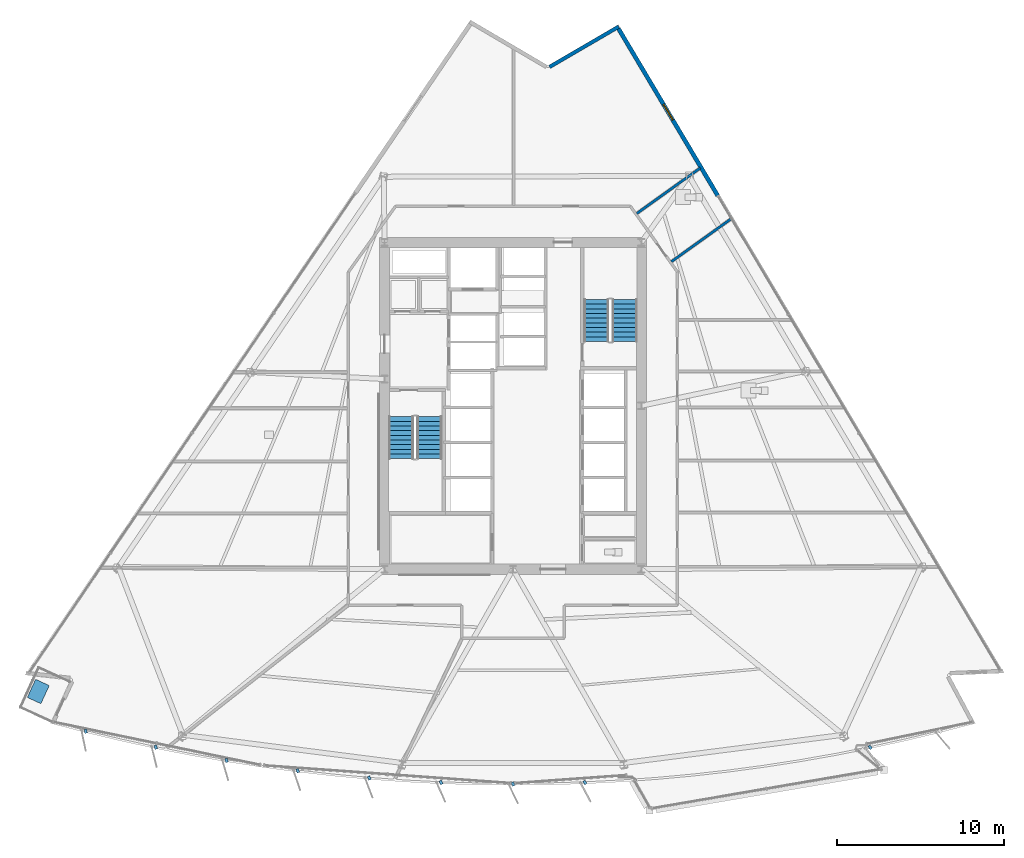
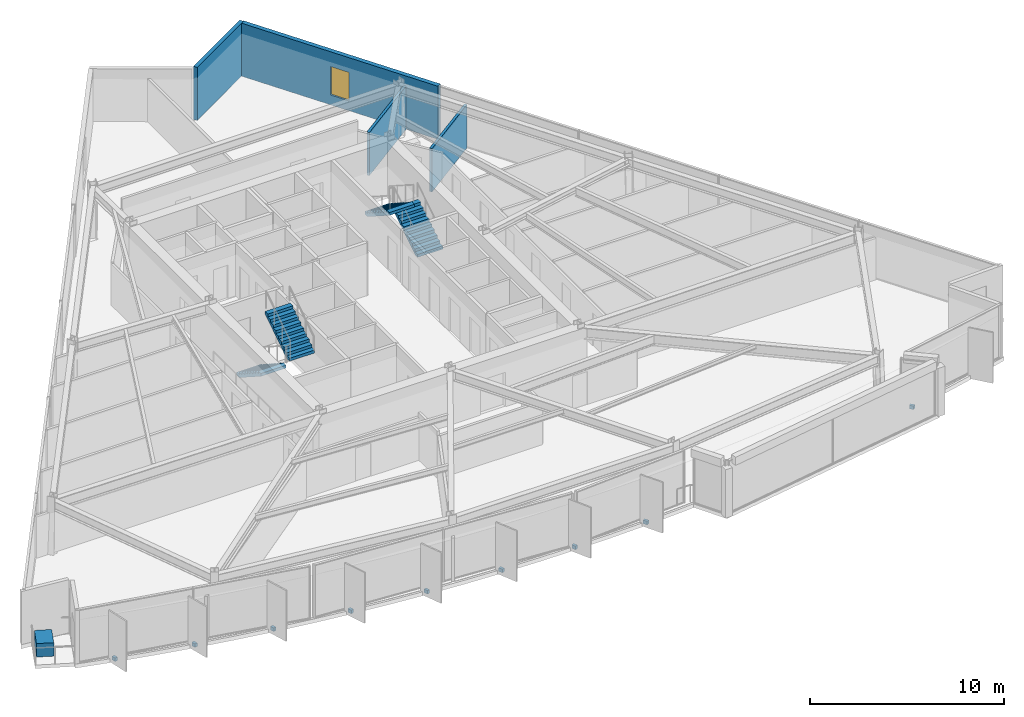
# One storey, part 10 of 16: 10 discrete accessories, 4 stair flights, 4 walls, 1 window, 1 opening, 2 elements without a shape of their own.
"""IFC4 building model written with IfcOpenShell, lengths in metres."""

from ifc_helpers import new_model, si_unit, direction, frame, frame_2d, origin, origin_2d, place, context, subcontext, project, spatial, polyline, rectangle, outline, extrude, material, layer, layer_set, type_object, element, fill, aggregate, save


model = new_model("IFC4")

# Units and contexts
model_context = context("Model", 3, precision=1e-05, world=origin(), true_north=direction((0.0, 1.0)))
body_context = subcontext(model_context, "Body", "Model", "MODEL_VIEW")
ifc_project = project(units=[si_unit("LENGTHUNIT", "METRE"), si_unit("AREAUNIT", "SQUARE_METRE"), si_unit("VOLUMEUNIT", "CUBIC_METRE"), si_unit("PLANEANGLEUNIT", "RADIAN"), si_unit("MASSUNIT", "GRAM", prefix="KILO")], contexts=[model_context])

# Site, building, storey
site_placement = place(None, origin())
site = spatial("IfcSite", under=ifc_project, at=site_placement, CompositionType="ELEMENT")
building_placement = place(site_placement, origin())
building = spatial("IfcBuilding", under=site, at=building_placement, Name="Savorim Split Tower", CompositionType="ELEMENT")
storey_placement = place(building_placement, frame((0.0, 0.0, 51.60009765625)))
storey = spatial("IfcBuildingStorey", under=building, at=storey_placement, Name="L13", CompositionType="ELEMENT", Elevation=51.60009765625)

# Wall
ifc_material_1 = material(Name="Precast concrete C40/50", Category="concrete")
ifc_layer_1 = layer(ifc_material_1, 0.219970703125)
ifc_layer_set_1 = layer_set([ifc_layer_1], Name="WAL-EXT-CRN220")
wall_type_1 = type_object("IfcWallType", Name="WAL-EXT-CRN220", PredefinedType="SOLIDWALL", material=ifc_layer_set_1)
wall_1_placement = place(storey_placement, frame((2.193359375, 20.71337890625, 0.0), z_axis=(0.0, 0.0, 1.0), x_axis=(0.863964978951, 0.503551899159, 0.0)))
element("IfcWall", 1, at=wall_1_placement, inside=storey, type_object=wall_type_1, Name="L13 Notched Corner Facade Wall NE1", PredefinedType="SOLIDWALL", context=body_context, shape_type="SweptSolid", body=[
    extrude(rectangle(XDim=4.8046875, YDim=0.219970703125, at=frame_2d((2.40234375, 0.0))), origin(), (0.0, 0.0, 1.0), 3.349853515625),
])

# Wall, opening, window
ifc_layer_2 = layer(ifc_material_1, 0.25)
ifc_layer_set_2 = layer_set([ifc_layer_2], Name="WAL-EXT-SPN250")
wall_type_2 = type_object("IfcWallType", Name="WAL-EXT-SPN250", PredefinedType="SOLIDWALL", material=ifc_layer_set_2)
wall_2_placement = place(storey_placement, frame((6.327880859375, 23.006103515625, 0.0), z_axis=(0.0, 0.0, 1.0), x_axis=(0.511075811474, -0.859535639125, 0.0)))
wall_2 = element("IfcWall", 2, at=wall_2_placement, inside=storey, type_object=wall_type_2, Name="L13 East Operable Window Pier", PredefinedType="SOLIDWALL", context=body_context, shape_type="SweptSolid", body=[
    extrude(rectangle(XDim=11.645751953125, YDim=0.25, at=frame_2d((5.82275390625, 0.0))), origin(), (0.0, 0.0, 1.0), 3.349853515625),
])
opening_placement = place(wall_2_placement, frame((5.27294921875, 0.0, 0.6201171875)))
opening = element("IfcOpeningElement", 3, at=opening_placement, cuts=wall_2, Name="Opening WN-09", PredefinedType="OPENING", context=body_context, shape_type="SweptSolid", body=[
    extrude(rectangle(XDim=1.10009765625, YDim=1.800048828125, at=frame_2d((0.550048828125, 0.89990234375))), frame((0.0, 0.135009765625, 0.0), z_axis=(0.0, -1.0, 0.0), x_axis=(1.0, 0.0, 0.0)), (0.0, 0.0, 1.0), 0.27001953125),
])
ifc_material_2 = material(Name="Low-E Operable Double Glazing", Category="glass")
window_type = type_object("IfcWindowType", Name="WIN-TWR-1100x1800", PartitioningType="SINGLE_PANEL", PredefinedType="WINDOW", material=ifc_material_2)
window_placement = place(opening_placement, origin())
window = element("IfcWindow", 4, at=window_placement, inside=storey, type_object=window_type, Name="L13 East Operable Ventilation Window", OverallHeight=1.800048828125, OverallWidth=1.10009765625, PartitioningType="SINGLE_PANEL", PredefinedType="WINDOW", context=body_context, shape_type="SweptSolid", body=[
    extrude(rectangle(XDim=1.10009765625, YDim=1.800048828125, at=frame_2d((0.550048828125, 0.89990234375))), frame((0.0, 0.030029296875, 0.0), z_axis=(0.0, -1.0, 0.0), x_axis=(1.0, 0.0, 0.0)), (0.0, 0.0, 1.0), 0.06005859375),
])
fill(opening, window)

# Walls
ifc_material_3 = material(Name="Acoustic Gypsum Partition Board")
ifc_layer_3 = layer(ifc_material_3, 0.14990234375)
ifc_layer_set_3 = layer_set([ifc_layer_3], Name="WAL-PAR-150")
wall_type_3 = type_object("IfcWallType", Name="WAL-PAR-150", PredefinedType="PARTITIONING", material=ifc_layer_set_3)
wall_3_placement = place(storey_placement, frame((7.423828125, 11.9287109375, 0.0), z_axis=(0.0, 0.0, 1.0), x_axis=(0.812887830599, 0.582420273397, 0.0)))
element("IfcWall", 5, at=wall_3_placement, inside=storey, type_object=wall_type_3, Name="L13 Partition W-L13-PRAD07", PredefinedType="PARTITIONING", context=body_context, shape_type="SweptSolid", body=[
    extrude(rectangle(XDim=4.6865234375, YDim=0.14990234375, at=frame_2d((2.34326171875, 0.0))), origin(), (0.0, 0.0, 1.0), 2.724853515625),
])
wall_4_placement = place(storey_placement, frame((9.494384765625, 9.0390625, 0.0), z_axis=(0.0, 0.0, 1.0), x_axis=(0.812885700903, 0.582423245816, 0.0)))
element("IfcWall", 6, at=wall_4_placement, inside=storey, type_object=wall_type_3, Name="L13 Partition W-L13-SUB03", PredefinedType="PARTITIONING", context=body_context, shape_type="SweptSolid", body=[
    extrude(rectangle(XDim=4.382568359375, YDim=0.14990234375, at=frame_2d((2.19140625, 0.0))), origin(), (0.0, 0.0, 1.0), 2.73486328125),
])

# Stair, stair flights
ifc_material_4 = material(Name="Concrete C50/60", Category="concrete")
stair_type = type_object("IfcStairType", Name="STR-DOG-3600", PredefinedType="HALF_TURN_STAIR", material=ifc_material_4)
stair_1_placement = place(storey_placement, origin())
stair_1 = element("IfcStair", 7, at=stair_1_placement, inside=storey, type_object=stair_type, Name="L13 Core Protected Exit Stair ST-1", PredefinedType="HALF_TURN_STAIR")
stair_flight_type = type_object("IfcStairFlightType", Name="SFL-DOG-3600", PredefinedType="STRAIGHT", material=ifc_material_4)
stair_flight_1_placement = place(storey_placement, frame((-6.699951171875, -0.25, 0.0), z_axis=(0.0, 0.0, 1.0), x_axis=(0.0, -1.0, 0.0)))
stair_flight_1 = element("IfcStairFlight", 8, at=stair_flight_1_placement, type_object=stair_flight_type, Name="ST-1 flight 1", NumberOfRisers=10, NumberOfTreads=9, PredefinedType="STRAIGHT", RiserHeight=0.18, TreadLength=0.28, context=body_context, shape_type="SweptSolid", body=[
    extrude(outline(polyline([(0.0, 0.0), (0.0, 0.179931640625), (0.280029296875, 0.179931640625), (0.280029296875, 0.360107421875), (0.56005859375, 0.360107421875), (0.56005859375, 0.5400390625), (0.840087890625, 0.5400390625), (0.840087890625, 0.719970703125), (1.1201171875, 0.719970703125), (1.1201171875, 0.89990234375), (1.39990234375, 0.89990234375), (1.39990234375, 1.080078125), (1.679931640625, 1.080078125), (1.679931640625, 1.260009765625), (1.9599609375, 1.260009765625), (1.9599609375, 1.43994140625), (2.239990234375, 1.43994140625), (2.239990234375, 1.6201171875), (2.52001953125, 1.6201171875), (2.52001953125, 1.800048828125), (2.52001953125, 1.44189453125), (0.277099609375, 0.0), (0.0, 0.0)])), frame((0.0, 0.75, 0.0), z_axis=(0.0, -1.0, 0.0), x_axis=(1.0, 0.0, 0.0)), (0.0, 0.0, 1.0), 1.5),
])
stair_flight_2_placement = place(storey_placement, frame((-5.0, -2.77001953125, 1.7998046875), z_axis=(0.0, 0.0, 1.0), x_axis=(0.0, 1.0, 0.0)))
stair_flight_2 = element("IfcStairFlight", 9, at=stair_flight_2_placement, type_object=stair_flight_type, Name="ST-1 flight 2", NumberOfRisers=10, NumberOfTreads=9, PredefinedType="STRAIGHT", RiserHeight=0.18, TreadLength=0.28, context=body_context, shape_type="SweptSolid", body=[
    extrude(outline(polyline([(0.0, 0.0), (0.0, 0.179931640625), (0.280029296875, 0.179931640625), (0.280029296875, 0.360107421875), (0.56005859375, 0.360107421875), (0.56005859375, 0.5400390625), (0.840087890625, 0.5400390625), (0.840087890625, 0.719970703125), (1.1201171875, 0.719970703125), (1.1201171875, 0.89990234375), (1.39990234375, 0.89990234375), (1.39990234375, 1.080078125), (1.679931640625, 1.080078125), (1.679931640625, 1.260009765625), (1.9599609375, 1.260009765625), (1.9599609375, 1.43994140625), (2.239990234375, 1.43994140625), (2.239990234375, 1.6201171875), (2.52001953125, 1.6201171875), (2.52001953125, 1.800048828125), (2.52001953125, 1.44189453125), (0.277099609375, 0.0), (0.0, 0.0)])), frame((0.0, 0.75, 0.0), z_axis=(0.0, -1.0, 0.0), x_axis=(1.0, 0.0, 0.0)), (0.0, 0.0, 1.0), 1.5),
])
aggregate(stair_1, [stair_flight_1, stair_flight_2])

stair_2_placement = place(storey_placement, origin())
stair_2 = element("IfcStair", 10, at=stair_2_placement, inside=storey, type_object=stair_type, Name="L13 Core Protected Exit Stair ST-2", PredefinedType="HALF_TURN_STAIR")
stair_flight_3_placement = place(storey_placement, frame((6.699951171875, 4.25, 0.0), z_axis=(0.0, 0.0, 1.0), x_axis=(0.0, 1.0, 0.0)))
stair_flight_3 = element("IfcStairFlight", 11, at=stair_flight_3_placement, type_object=stair_flight_type, Name="ST-2 flight 1", NumberOfRisers=10, NumberOfTreads=9, PredefinedType="STRAIGHT", RiserHeight=0.18, TreadLength=0.28, context=body_context, shape_type="SweptSolid", body=[
    extrude(outline(polyline([(0.0, 0.0), (0.0, 0.179931640625), (0.280029296875, 0.179931640625), (0.280029296875, 0.360107421875), (0.56005859375, 0.360107421875), (0.56005859375, 0.5400390625), (0.840087890625, 0.5400390625), (0.840087890625, 0.719970703125), (1.1201171875, 0.719970703125), (1.1201171875, 0.89990234375), (1.39990234375, 0.89990234375), (1.39990234375, 1.080078125), (1.679931640625, 1.080078125), (1.679931640625, 1.260009765625), (1.9599609375, 1.260009765625), (1.9599609375, 1.43994140625), (2.239990234375, 1.43994140625), (2.239990234375, 1.6201171875), (2.52001953125, 1.6201171875), (2.52001953125, 1.800048828125), (2.52001953125, 1.44189453125), (0.277099609375, 0.0), (0.0, 0.0)])), frame((0.0, 0.75, 0.0), z_axis=(0.0, -1.0, 0.0), x_axis=(1.0, 0.0, 0.0)), (0.0, 0.0, 1.0), 1.5),
])
stair_flight_4_placement = place(storey_placement, frame((5.0, 6.77001953125, 1.7998046875), z_axis=(0.0, 0.0, 1.0), x_axis=(0.0, -1.0, 0.0)))
stair_flight_4 = element("IfcStairFlight", 12, at=stair_flight_4_placement, type_object=stair_flight_type, Name="ST-2 flight 2", NumberOfRisers=10, NumberOfTreads=9, PredefinedType="STRAIGHT", RiserHeight=0.18, TreadLength=0.28, context=body_context, shape_type="SweptSolid", body=[
    extrude(outline(polyline([(0.0, 0.0), (0.0, 0.179931640625), (0.280029296875, 0.179931640625), (0.280029296875, 0.360107421875), (0.56005859375, 0.360107421875), (0.56005859375, 0.5400390625), (0.840087890625, 0.5400390625), (0.840087890625, 0.719970703125), (1.1201171875, 0.719970703125), (1.1201171875, 0.89990234375), (1.39990234375, 0.89990234375), (1.39990234375, 1.080078125), (1.679931640625, 1.080078125), (1.679931640625, 1.260009765625), (1.9599609375, 1.260009765625), (1.9599609375, 1.43994140625), (2.239990234375, 1.43994140625), (2.239990234375, 1.6201171875), (2.52001953125, 1.6201171875), (2.52001953125, 1.800048828125), (2.52001953125, 1.44189453125), (0.277099609375, 0.0), (0.0, 0.0)])), frame((0.0, 0.75, 0.0), z_axis=(0.0, -1.0, 0.0), x_axis=(1.0, 0.0, 0.0)), (0.0, 0.0, 1.0), 1.5),
])
aggregate(stair_2, [stair_flight_3, stair_flight_4])

# Discrete accessories
ifc_material_5 = material(Name="Steel S355", Category="steel")
discrete_accessory_type_1 = type_object("IfcDiscreteAccessoryType", Name="ACC-BRK-FIN", PredefinedType="BRACKET", material=ifc_material_5)
for number, where, z_axis, x_axis, name in (
    (13, (-25.611572265625, -19.10986328125, -0.18994140625), (0.0, 0.0, 1.0), (0.206721626106, -0.978399800337, 0.0), "L13 Fin Slab-Edge Cleat Bracket 01"),
    (14, (-21.408935546875, -20.072265625, -0.18994140625), (0.0, 0.0, 1.0), (0.246581250663, -0.969122121727, 0.0), "L13 Fin Slab-Edge Cleat Bracket 02"),
    (15, (-17.17041015625, -20.86181640625, -0.18994140625), (0.0, 0.0, 1.0), (0.286026212504, -0.958221793616, 0.0), "L13 Fin Slab-Edge Cleat Bracket 03"),
    (16, (-12.903076171875, -21.477294921875, -0.18994140625), (0.0, 0.0, 1.0), (0.324993810493, -0.945716143005, 0.0), "L13 Fin Slab-Edge Cleat Bracket 04"),
    (17, (-8.614013671875, -21.917724609375, -0.18994140625), (0.0, 0.0, 1.0), (0.363415461732, -0.931627179817, 0.0), "L13 Fin Slab-Edge Cleat Bracket 05"),
    (18, (-4.310546875, -22.18212890625, -0.18994140625), (0.0, 0.0, 1.0), (0.401230091723, -0.915977299662, 0.0), "L13 Fin Slab-Edge Cleat Bracket 06"),
    (19, (0.0, -22.2705078125, -0.18994140625), (0.0, 0.0, 1.0), (0.438371146789, -0.898794046299, 0.0), "L13 Fin Slab-Edge Cleat Bracket 07"),
    (20, (4.310546875, -22.18212890625, -0.18994140625), (0.0, 0.0, 1.0), (0.474778051978, -0.880105562623, 0.0), "L13 Fin Slab-Edge Cleat Bracket 08"),
    (21, (21.408935546875, -20.072265625, -0.18994140625), (0.0, 0.0, 1.0), (0.611868076908, -0.790959832394, 0.0), "L13 Fin Slab-Edge Cleat Bracket 12"),
):
    element("IfcDiscreteAccessory", number, at=place(storey_placement, frame(where, z_axis=z_axis, x_axis=x_axis)), inside=storey, type_object=discrete_accessory_type_1, Name=name, PredefinedType="BRACKET", context=body_context, shape_type="SweptSolid", body=[
        extrude(rectangle(XDim=0.239990234375, YDim=0.159912109375, at=origin_2d()), origin(), (0.0, 0.0, 1.0), 0.219970703125),
    ])
ifc_material_6 = material(Name="Architectural Precast Planter Concrete C40/50", Category="concrete")
discrete_accessory_type_2 = type_object("IfcDiscreteAccessoryType", Name="ACC-PLN-TREE", PredefinedType="USERDEFINED", material=ifc_material_6)
discrete_accessory_placement = place(storey_placement, frame((-28.456787109375, -16.727783203125, -0.000244140625), z_axis=(0.0, 0.0, 1.0), x_axis=(-0.417488068088, -0.908682404916, 0.0)))
element("IfcDiscreteAccessory", 22, at=discrete_accessory_placement, inside=storey, type_object=discrete_accessory_type_2, Name="L13 Balcony Precast Tree Planter SW", ObjectType="PLANTER", PredefinedType="USERDEFINED", context=body_context, shape_type="SweptSolid", body=[
    extrude(rectangle(XDim=1.199951171875, YDim=0.89990234375, at=origin_2d()), origin(), (0.0, 0.0, 1.0), 0.85009765625),
])

save(model, "model.ifc")
